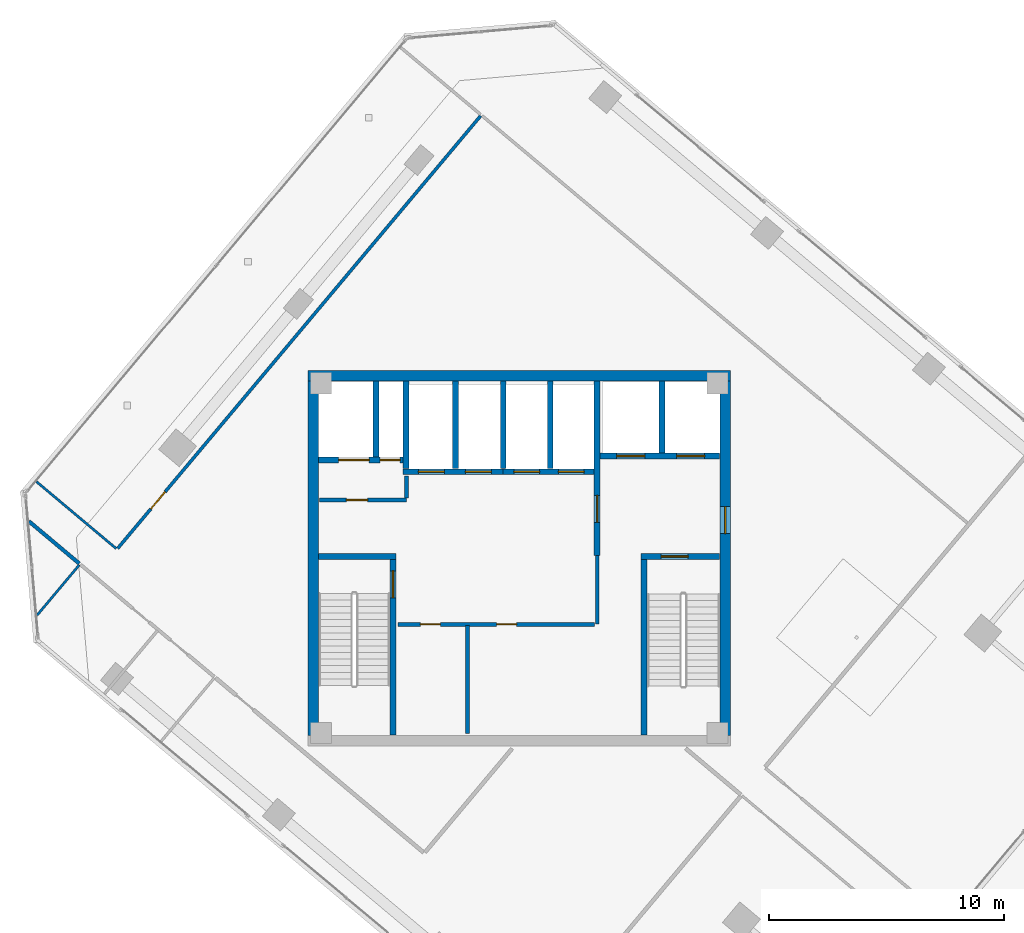
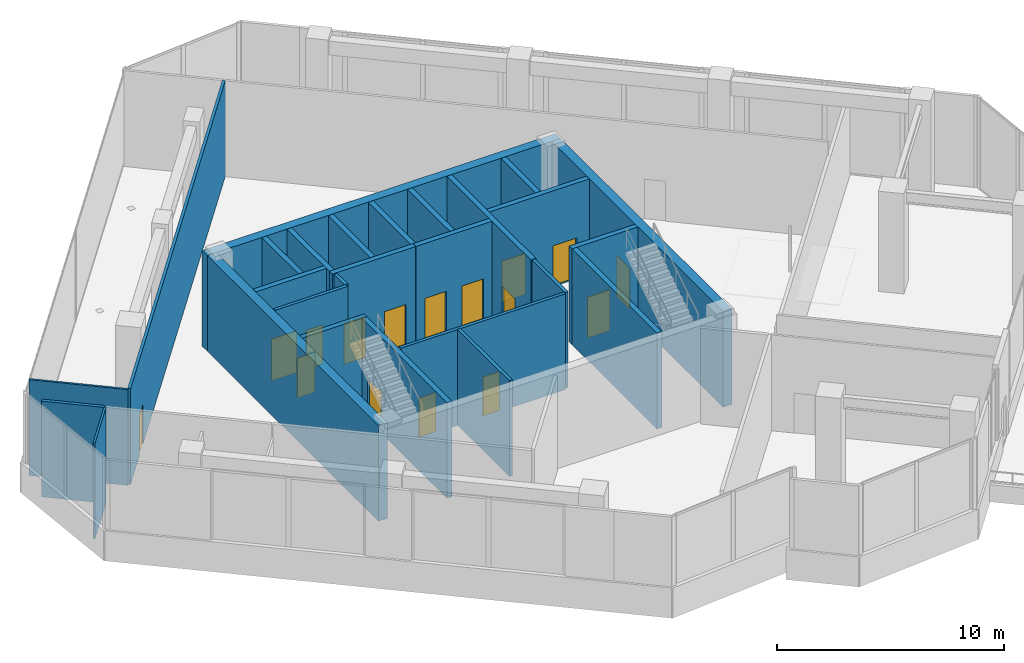
# One storey, part 12 of 17: 27 walls, 16 doors, 16 openings.
"""IFC4 building model written with IfcOpenShell, lengths in metres."""

from ifc_helpers import new_model, si_unit, direction, frame, frame_2d, origin, place, context, subcontext, project, spatial, rectangle, extrude, source, transform, mapped, material, layer, layer_set, type_object, element, fill, save


model = new_model("IFC4")

# Units and contexts
model_context = context("Model", 3, precision=1e-05, world=origin(), true_north=direction((0.0, 1.0)))
body_context = subcontext(model_context, "Body", "Model", "MODEL_VIEW")
ifc_project = project(units=[si_unit("LENGTHUNIT", "METRE"), si_unit("AREAUNIT", "SQUARE_METRE"), si_unit("VOLUMEUNIT", "CUBIC_METRE"), si_unit("PLANEANGLEUNIT", "RADIAN"), si_unit("MASSUNIT", "GRAM", prefix="KILO")], contexts=[model_context])

# Site, building, storey
site_placement = place(None, origin())
site = spatial("IfcSite", under=ifc_project, at=site_placement, CompositionType="ELEMENT")
building_placement = place(site_placement, origin())
building = spatial("IfcBuilding", under=site, at=building_placement, Name="Torre Montelarca", CompositionType="ELEMENT")
storey_placement = place(building_placement, frame((0.0, 0.0, 215.199951171875)))
storey = spatial("IfcBuildingStorey", under=building, at=storey_placement, Name="L48", CompositionType="ELEMENT", Elevation=215.199951171875)

# Wall, opening, door
ifc_material_1 = material(Name="Concrete C40/50", Category="concrete")
ifc_layer_1 = layer(ifc_material_1, 0.25, Name="Concrete C40/50", Category="concrete")
ifc_layer_set_1 = layer_set([ifc_layer_1], Name="Concrete C40/50")
wall_type_1 = type_object("IfcWallType", Name="CW-SHAFT-250", PredefinedType="SHEAR", material=ifc_layer_set_1)
wall_1_placement = place(storey_placement, frame((12.625, 24.4599609375, 0.0), z_axis=(0.0, 0.0, 1.0), x_axis=(0.0, 1.0, 0.0)))
wall_1 = element("IfcWall", 1, at=wall_1_placement, inside=storey, type_object=wall_type_1, Name="L48 Core Shear Wall SH-ST1-E", PredefinedType="SHEAR", context=body_context, shape_type="SweptSolid", body=[
    extrude(rectangle(XDim=7.489990234375, YDim=0.25, at=frame_2d((3.7451171875, 0.0))), origin(), (0.0, 0.0, 1.0), 5.16015625),
])
opening_1_placement = place(wall_1_placement, frame((5.85009765625, 0.0, 0.0)))
opening_1 = element("IfcOpeningElement", 2, at=opening_1_placement, cuts=wall_1, Name="Opening FD-ST1", PredefinedType="OPENING", context=body_context, shape_type="SweptSolid", body=[
    extrude(rectangle(XDim=1.14990234375, YDim=2.199951171875, at=frame_2d((0.574951171875, 1.10009765625))), frame((0.0, 0.135009765625, 0.0), z_axis=(0.0, -1.0, 0.0), x_axis=(1.0, 0.0, 0.0)), (0.0, 0.0, 1.0), 0.27001953125),
])
ifc_material_2 = material(Name="Galvanized steel fire door", Category="steel")
door_type_1 = type_object("IfcDoorType", Name="DR-STAIR-115", OperationType="NOTDEFINED", PredefinedType="DOOR", material=ifc_material_2)
shared_shape_1 = source(origin(), body_context, "Body", "SweptSolid", [
    extrude(rectangle(XDim=1.14990234375, YDim=2.199951171875, at=frame_2d((0.574951171875, 1.10009765625))), frame((0.0, 0.02490234375, 0.0), z_axis=(0.0, -1.0, 0.0), x_axis=(1.0, 0.0, 0.0)), (0.0, 0.0, 1.0), 0.050048828125),
])
door_1_placement = place(opening_1_placement, origin())
door_1 = element("IfcDoor", 3, at=door_1_placement, inside=storey, type_object=door_type_1, Name="L48 Exit Stair ST1 Fire Door", OperationType="SINGLE_SWING_RIGHT", OverallHeight=2.199951171875, OverallWidth=1.14990234375, PredefinedType="DOOR", context=body_context, shape_type="MappedRepresentation", body=[
    mapped(shared_shape_1, transform((0.0, 0.0, 0.0), scale=1.0)),
])
fill(opening_1, door_1)

# Walls
wall_2_placement = place(storey_placement, frame((9.4599609375, 32.074951171875, 0.0), z_axis=(0.0, 0.0, 1.0), x_axis=(1.0, 0.0, 0.0)))
element("IfcWall", 4, at=wall_2_placement, inside=storey, type_object=wall_type_1, Name="L48 Core Shear Wall SH-ST1-N", PredefinedType="SHEAR", context=body_context, shape_type="SweptSolid", body=[
    extrude(rectangle(XDim=3.2900390625, YDim=0.25, at=frame_2d((1.64501953125, 0.0))), origin(), (0.0, 0.0, 1.0), 5.16015625),
])
wall_3_placement = place(storey_placement, frame((23.31494140625, 24.4599609375, 0.0), z_axis=(0.0, 0.0, 1.0), x_axis=(0.0, 1.0, 0.0)))
element("IfcWall", 5, at=wall_3_placement, inside=storey, type_object=wall_type_1, Name="L48 Core Shear Wall SH-ST2-W", PredefinedType="SHEAR", context=body_context, shape_type="SweptSolid", body=[
    extrude(rectangle(XDim=7.489990234375, YDim=0.25, at=frame_2d((3.7451171875, 0.0))), origin(), (0.0, 0.0, 1.0), 5.16015625),
])

# Wall, opening, door
wall_4_placement = place(storey_placement, frame((23.18994140625, 32.074951171875, 0.0), z_axis=(0.0, 0.0, 1.0), x_axis=(1.0, 0.0, 0.0)))
wall_4 = element("IfcWall", 6, at=wall_4_placement, inside=storey, type_object=wall_type_1, Name="L48 Core Shear Wall SH-ST2-N", PredefinedType="SHEAR", context=body_context, shape_type="SweptSolid", body=[
    extrude(rectangle(XDim=3.35009765625, YDim=0.25, at=frame_2d((1.675048828125, 0.0))), origin(), (0.0, 0.0, 1.0), 5.16015625),
])
opening_2_placement = place(wall_4_placement, frame((0.85009765625, 0.0, 0.0)))
opening_2 = element("IfcOpeningElement", 7, at=opening_2_placement, cuts=wall_4, Name="Opening FD-ST1", PredefinedType="OPENING", context=body_context, shape_type="SweptSolid", body=[
    extrude(rectangle(XDim=1.14990234375, YDim=2.199951171875, at=frame_2d((0.574951171875, 1.10009765625))), frame((0.0, 0.135009765625, 0.0), z_axis=(0.0, -1.0, 0.0), x_axis=(1.0, 0.0, 0.0)), (0.0, 0.0, 1.0), 0.27001953125),
])
door_2_placement = place(opening_2_placement, origin())
door_2 = element("IfcDoor", 8, at=door_2_placement, inside=storey, type_object=door_type_1, Name="L48 Exit Stair ST2 Fire Door", OperationType="SINGLE_SWING_RIGHT", OverallHeight=2.199951171875, OverallWidth=1.14990234375, PredefinedType="DOOR", context=body_context, shape_type="MappedRepresentation", body=[
    mapped(shared_shape_1, transform((0.0, 0.0, 0.0), scale=1.0)),
])
fill(opening_2, door_2)

wall_5_placement = place(storey_placement, frame((21.320068359375, 32.1201171875, 0.0), z_axis=(0.0, 0.0, 1.0), x_axis=(0.0, 1.0, 0.0)))
wall_5 = element("IfcWall", 9, at=wall_5_placement, inside=storey, type_object=wall_type_1, Name="L48 Core Shear Wall SH-FFL-W", PredefinedType="SHEAR", context=body_context, shape_type="SweptSolid", body=[
    extrude(rectangle(XDim=7.419921875, YDim=0.25, at=frame_2d((3.7099609375, 0.0))), origin(), (0.0, 0.0, 1.0), 5.16015625),
])
opening_3_placement = place(wall_5_placement, frame((1.39990234375, 0.0, 0.0)))
opening_3 = element("IfcOpeningElement", 10, at=opening_3_placement, cuts=wall_5, Name="Opening FD-LB1", PredefinedType="OPENING", context=body_context, shape_type="SweptSolid", body=[
    extrude(rectangle(XDim=1.14990234375, YDim=2.199951171875, at=frame_2d((0.574951171875, 1.10009765625))), frame((0.0, 0.135009765625, 0.0), z_axis=(0.0, -1.0, 0.0), x_axis=(1.0, 0.0, 0.0)), (0.0, 0.0, 1.0), 0.27001953125),
])
ifc_material_3 = material(Name="Acoustic timber-veneered fire door", Category="wood")
door_type_2 = type_object("IfcDoorType", Name="DR-LOBBY-115", OperationType="NOTDEFINED", PredefinedType="DOOR", material=ifc_material_3)
shared_shape_2 = source(origin(), body_context, "Body", "SweptSolid", [
    extrude(rectangle(XDim=1.14990234375, YDim=2.199951171875, at=frame_2d((0.574951171875, 1.10009765625))), frame((0.0, 0.02490234375, 0.0), z_axis=(0.0, -1.0, 0.0), x_axis=(1.0, 0.0, 0.0)), (0.0, 0.0, 1.0), 0.050048828125),
])
door_3_placement = place(opening_3_placement, origin())
door_3 = element("IfcDoor", 11, at=door_3_placement, inside=storey, type_object=door_type_2, Name="L48 Lift Lobby to Firefighting Lobby Smoke Door", OperationType="SINGLE_SWING_LEFT", OverallHeight=2.199951171875, OverallWidth=1.14990234375, PredefinedType="DOOR", context=body_context, shape_type="MappedRepresentation", body=[
    mapped(shared_shape_2, transform((0.0, 0.0, 0.0), scale=1.0)),
])
fill(opening_3, door_3)

# Wall, openings, doors
wall_6_placement = place(storey_placement, frame((9.4599609375, 36.179931640625, 0.0), z_axis=(0.0, 0.0, 1.0), x_axis=(1.0, 0.0, 0.0)))
wall_6 = element("IfcWall", 12, at=wall_6_placement, inside=storey, type_object=wall_type_1, Name="L48 Core Shear Wall SH-SV1-S", PredefinedType="SHEAR", context=body_context, shape_type="SweptSolid", body=[
    extrude(rectangle(XDim=3.7900390625, YDim=0.25, at=frame_2d((1.89501953125, 0.0))), origin(), (0.0, 0.0, 1.0), 5.16015625),
])
opening_4_placement = place(wall_6_placement, frame((2.6201171875, 0.0, 0.0)))
opening_4 = element("IfcOpeningElement", 13, at=opening_4_placement, cuts=wall_6, Name="Opening FD-085", PredefinedType="OPENING", context=body_context, shape_type="SweptSolid", body=[
    extrude(rectangle(XDim=0.85009765625, YDim=2.10009765625, at=frame_2d((0.425048828125, 1.050048828125))), frame((0.0, 0.135009765625, 0.0), z_axis=(0.0, -1.0, 0.0), x_axis=(1.0, 0.0, 0.0)), (0.0, 0.0, 1.0), 0.27001953125),
])
opening_5_placement = place(wall_6_placement, frame((0.85009765625, 0.0, 0.0)))
opening_5 = element("IfcOpeningElement", 14, at=opening_5_placement, cuts=wall_6, Name="Opening LD-130", PredefinedType="OPENING", context=body_context, shape_type="SweptSolid", body=[
    extrude(rectangle(XDim=1.300048828125, YDim=2.25, at=frame_2d((0.64990234375, 1.125))), frame((0.0, 0.135009765625, 0.0), z_axis=(0.0, -1.0, 0.0), x_axis=(1.0, 0.0, 0.0)), (0.0, 0.0, 1.0), 0.27001953125),
])
ifc_material_4 = material(Name="Steel riser access fire door", Category="steel")
door_type_3 = type_object("IfcDoorType", Name="DR-RISER-085", OperationType="NOTDEFINED", PredefinedType="DOOR", material=ifc_material_4)
shared_shape_3 = source(origin(), body_context, "Body", "SweptSolid", [
    extrude(rectangle(XDim=0.85009765625, YDim=2.10009765625, at=frame_2d((0.425048828125, 1.050048828125))), frame((0.0, 0.02490234375, 0.0), z_axis=(0.0, -1.0, 0.0), x_axis=(1.0, 0.0, 0.0)), (0.0, 0.0, 1.0), 0.050048828125),
])
door_4_placement = place(opening_4_placement, origin())
door_4 = element("IfcDoor", 15, at=door_4_placement, inside=storey, type_object=door_type_3, Name="L48 Electrical Riser Shaft Access Door", OperationType="SINGLE_SWING_RIGHT", OverallHeight=2.10009765625, OverallWidth=0.85009765625, PredefinedType="DOOR", context=body_context, shape_type="MappedRepresentation", body=[
    mapped(shared_shape_3, transform((0.0, 0.0, 0.0), scale=1.0)),
])
fill(opening_4, door_4)
ifc_material_5 = material(Name="Brushed stainless steel AISI 316", Category="steel")
door_type_4 = type_object("IfcDoorType", Name="DR-LIFT-130", OperationType="SLIDING_TO_LEFT", PredefinedType="DOOR", material=ifc_material_5)
shared_shape_4 = source(origin(), body_context, "Body", "SweptSolid", [
    extrude(rectangle(XDim=1.300048828125, YDim=2.25, at=frame_2d((0.64990234375, 1.125))), frame((0.0, 0.02490234375, 0.0), z_axis=(0.0, -1.0, 0.0), x_axis=(1.0, 0.0, 0.0)), (0.0, 0.0, 1.0), 0.050048828125),
])
door_5_placement = place(opening_5_placement, origin())
door_5 = element("IfcDoor", 16, at=door_5_placement, inside=storey, type_object=door_type_4, Name="L48 Lift Landing Sliding Door SV-1", OperationType="SLIDING_TO_LEFT", OverallHeight=2.25, OverallWidth=1.300048828125, PredefinedType="DOOR", context=body_context, shape_type="MappedRepresentation", body=[
    mapped(shared_shape_4, transform((0.0, 0.0, 0.0), scale=1.0)),
])
fill(opening_5, door_5)

# Wall
wall_7_placement = place(storey_placement, frame((11.89990234375, 36.31005859375, 0.0), z_axis=(0.0, 0.0, 1.0), x_axis=(0.0, 1.0, 0.0)))
element("IfcWall", 17, at=wall_7_placement, inside=storey, type_object=wall_type_1, Name="L48 Core Shear Wall SH-SV1-E", PredefinedType="SHEAR", context=body_context, shape_type="SweptSolid", body=[
    extrude(rectangle(XDim=3.22998046875, YDim=0.25, at=frame_2d((1.614990234375, 0.0))), origin(), (0.0, 0.0, 1.0), 5.16015625),
])

# Wall, openings, doors
wall_8_placement = place(storey_placement, frame((21.449951171875, 36.35009765625, 0.0), z_axis=(0.0, 0.0, 1.0), x_axis=(1.0, 0.0, 0.0)))
wall_8 = element("IfcWall", 18, at=wall_8_placement, inside=storey, type_object=wall_type_1, Name="L48 Core Shear Wall SH-FF-S", PredefinedType="SHEAR", context=body_context, shape_type="SweptSolid", body=[
    extrude(rectangle(XDim=5.090087890625, YDim=0.25, at=frame_2d((2.544921875, 0.0))), origin(), (0.0, 0.0, 1.0), 5.16015625),
])
opening_6_placement = place(wall_8_placement, frame((0.699951171875, 0.0, 0.0)))
opening_6 = element("IfcOpeningElement", 19, at=opening_6_placement, cuts=wall_8, Name="Opening LD-120", PredefinedType="OPENING", context=body_context, shape_type="SweptSolid", body=[
    extrude(rectangle(XDim=1.199951171875, YDim=2.199951171875, at=frame_2d((0.60009765625, 1.10009765625))), frame((0.0, 0.135009765625, 0.0), z_axis=(0.0, -1.0, 0.0), x_axis=(1.0, 0.0, 0.0)), (0.0, 0.0, 1.0), 0.27001953125),
])
opening_7_placement = place(wall_8_placement, frame((3.25, 0.0, 0.0)))
opening_7 = element("IfcOpeningElement", 20, at=opening_7_placement, cuts=wall_8, Name="Opening LD-120", PredefinedType="OPENING", context=body_context, shape_type="SweptSolid", body=[
    extrude(rectangle(XDim=1.199951171875, YDim=2.199951171875, at=frame_2d((0.60009765625, 1.10009765625))), frame((0.0, 0.135009765625, 0.0), z_axis=(0.0, -1.0, 0.0), x_axis=(1.0, 0.0, 0.0)), (0.0, 0.0, 1.0), 0.27001953125),
])
door_type_5 = type_object("IfcDoorType", Name="DR-LIFT-120", OperationType="SLIDING_TO_RIGHT", PredefinedType="DOOR", material=ifc_material_5)
shared_shape_5 = source(origin(), body_context, "Body", "SweptSolid", [
    extrude(rectangle(XDim=1.199951171875, YDim=2.199951171875, at=frame_2d((0.60009765625, 1.10009765625))), frame((0.0, 0.02490234375, 0.0), z_axis=(0.0, -1.0, 0.0), x_axis=(1.0, 0.0, 0.0)), (0.0, 0.0, 1.0), 0.050048828125),
])
door_6_placement = place(opening_6_placement, origin())
door_6 = element("IfcDoor", 21, at=door_6_placement, inside=storey, type_object=door_type_5, Name="L48 Lift Landing Sliding Door FF-1", OperationType="SLIDING_TO_LEFT", OverallHeight=2.199951171875, OverallWidth=1.199951171875, PredefinedType="DOOR", context=body_context, shape_type="MappedRepresentation", body=[
    mapped(shared_shape_5, transform((0.0, 0.0, 0.0), scale=1.0)),
])
fill(opening_6, door_6)
door_7_placement = place(opening_7_placement, origin())
door_7 = element("IfcDoor", 22, at=door_7_placement, inside=storey, type_object=door_type_5, Name="L48 Lift Landing Sliding Door FF-2", OperationType="SLIDING_TO_RIGHT", OverallHeight=2.199951171875, OverallWidth=1.199951171875, PredefinedType="DOOR", context=body_context, shape_type="MappedRepresentation", body=[
    mapped(shared_shape_5, transform((0.0, 0.0, 0.0), scale=1.0)),
])
fill(opening_7, door_7)

# Wall
wall_9_placement = place(storey_placement, frame((24.080078125, 36.47998046875, 0.0), z_axis=(0.0, 0.0, 1.0), x_axis=(0.0, 1.0, 0.0)))
element("IfcWall", 23, at=wall_9_placement, inside=storey, type_object=wall_type_1, Name="L48 Core Shear Wall SH-FF-M", PredefinedType="SHEAR", context=body_context, shape_type="SweptSolid", body=[
    extrude(rectangle(XDim=3.06005859375, YDim=0.25, at=frame_2d((1.530029296875, 0.0))), origin(), (0.0, 0.0, 1.0), 5.16015625),
])

# Wall, openings, doors
wall_10_placement = place(storey_placement, frame((13.06005859375, 35.679931640625, 0.0), z_axis=(0.0, 0.0, 1.0), x_axis=(1.0, 0.0, 0.0)))
wall_10 = element("IfcWall", 24, at=wall_10_placement, inside=storey, type_object=wall_type_1, Name="L48 Core Shear Wall SH-PLM-S", PredefinedType="SHEAR", context=body_context, shape_type="SweptSolid", body=[
    extrude(rectangle(XDim=4.25, YDim=0.25, at=frame_2d((2.125, 0.0))), origin(), (0.0, 0.0, 1.0), 5.16015625),
])
opening_8_placement = place(wall_10_placement, frame((0.64990234375, 0.0, 0.0)))
opening_8 = element("IfcOpeningElement", 25, at=opening_8_placement, cuts=wall_10, Name="Opening LD-110", PredefinedType="OPENING", context=body_context, shape_type="SweptSolid", body=[
    extrude(rectangle(XDim=1.10009765625, YDim=2.199951171875, at=frame_2d((0.550048828125, 1.10009765625))), frame((0.0, 0.135009765625, 0.0), z_axis=(0.0, -1.0, 0.0), x_axis=(1.0, 0.0, 0.0)), (0.0, 0.0, 1.0), 0.27001953125),
])
opening_9_placement = place(wall_10_placement, frame((2.64990234375, 0.0, 0.0)))
opening_9 = element("IfcOpeningElement", 26, at=opening_9_placement, cuts=wall_10, Name="Opening LD-110", PredefinedType="OPENING", context=body_context, shape_type="SweptSolid", body=[
    extrude(rectangle(XDim=1.10009765625, YDim=2.199951171875, at=frame_2d((0.550048828125, 1.10009765625))), frame((0.0, 0.135009765625, 0.0), z_axis=(0.0, -1.0, 0.0), x_axis=(1.0, 0.0, 0.0)), (0.0, 0.0, 1.0), 0.27001953125),
])
door_type_6 = type_object("IfcDoorType", Name="DR-LIFT-110", OperationType="SLIDING_TO_LEFT", PredefinedType="DOOR", material=ifc_material_5)
shared_shape_6 = source(origin(), body_context, "Body", "SweptSolid", [
    extrude(rectangle(XDim=1.10009765625, YDim=2.199951171875, at=frame_2d((0.550048828125, 1.10009765625))), frame((0.0, 0.02490234375, 0.0), z_axis=(0.0, -1.0, 0.0), x_axis=(1.0, 0.0, 0.0)), (0.0, 0.0, 1.0), 0.050048828125),
])
door_8_placement = place(opening_8_placement, origin())
door_8 = element("IfcDoor", 27, at=door_8_placement, inside=storey, type_object=door_type_6, Name="L48 Lift Landing Sliding Door PL-M1", OperationType="SLIDING_TO_LEFT", OverallHeight=2.199951171875, OverallWidth=1.10009765625, PredefinedType="DOOR", context=body_context, shape_type="MappedRepresentation", body=[
    mapped(shared_shape_6, transform((0.0, 0.0, 0.0), scale=1.0)),
])
fill(opening_8, door_8)
door_9_placement = place(opening_9_placement, origin())
door_9 = element("IfcDoor", 28, at=door_9_placement, inside=storey, type_object=door_type_6, Name="L48 Lift Landing Sliding Door PL-M2", OperationType="SLIDING_TO_RIGHT", OverallHeight=2.199951171875, OverallWidth=1.10009765625, PredefinedType="DOOR", context=body_context, shape_type="MappedRepresentation", body=[
    mapped(shared_shape_6, transform((0.0, 0.0, 0.0), scale=1.0)),
])
fill(opening_9, door_9)

# Walls
for number, where, z_axis, x_axis, name in (
    (29, (13.179931640625, 35.81005859375, 0.0), (0.0, 0.0, 1.0), (0.0, 1.0, 0.0), "L48 Core Shear Wall SH-PLM-W"),
    (30, (15.280029296875, 35.81005859375, 0.0), (0.0, 0.0, 1.0), (0.0, 1.0, 0.0), "L48 Core Shear Wall SH-PLM-M"),
):
    element("IfcWall", number, at=place(storey_placement, frame(where, z_axis=z_axis, x_axis=x_axis)), inside=storey, type_object=wall_type_1, Name=name, PredefinedType="SHEAR", context=body_context, shape_type="SweptSolid", body=[
        extrude(rectangle(XDim=3.72998046875, YDim=0.25, at=frame_2d((1.864990234375, 0.0))), origin(), (0.0, 0.0, 1.0), 5.16015625),
    ])

# Wall, openings, doors
wall_11_placement = place(storey_placement, frame((17.320068359375, 35.679931640625, 0.0), z_axis=(0.0, 0.0, 1.0), x_axis=(1.0, 0.0, 0.0)))
wall_11 = element("IfcWall", 31, at=wall_11_placement, inside=storey, type_object=wall_type_1, Name="L48 Core Shear Wall SH-PLH-S", PredefinedType="SHEAR", context=body_context, shape_type="SweptSolid", body=[
    extrude(rectangle(XDim=3.869873046875, YDim=0.25, at=frame_2d((1.93505859375, 0.0))), origin(), (0.0, 0.0, 1.0), 5.16015625),
])
opening_10_placement = place(wall_11_placement, frame((0.449951171875, 0.0, 0.0)))
opening_10 = element("IfcOpeningElement", 32, at=opening_10_placement, cuts=wall_11, Name="Opening LD-110", PredefinedType="OPENING", context=body_context, shape_type="SweptSolid", body=[
    extrude(rectangle(XDim=1.10009765625, YDim=2.199951171875, at=frame_2d((0.550048828125, 1.10009765625))), frame((0.0, 0.135009765625, 0.0), z_axis=(0.0, -1.0, 0.0), x_axis=(1.0, 0.0, 0.0)), (0.0, 0.0, 1.0), 0.27001953125),
])
opening_11_placement = place(wall_11_placement, frame((2.35009765625, 0.0, 0.0)))
opening_11 = element("IfcOpeningElement", 33, at=opening_11_placement, cuts=wall_11, Name="Opening LD-110", PredefinedType="OPENING", context=body_context, shape_type="SweptSolid", body=[
    extrude(rectangle(XDim=1.10009765625, YDim=2.199951171875, at=frame_2d((0.550048828125, 1.10009765625))), frame((0.0, 0.135009765625, 0.0), z_axis=(0.0, -1.0, 0.0), x_axis=(1.0, 0.0, 0.0)), (0.0, 0.0, 1.0), 0.27001953125),
])
door_10_placement = place(opening_10_placement, origin())
door_10 = element("IfcDoor", 34, at=door_10_placement, inside=storey, type_object=door_type_6, Name="L48 Lift Landing Sliding Door PL-H1", OperationType="SLIDING_TO_LEFT", OverallHeight=2.199951171875, OverallWidth=1.10009765625, PredefinedType="DOOR", context=body_context, shape_type="MappedRepresentation", body=[
    mapped(shared_shape_6, transform((0.0, 0.0, 0.0), scale=1.0)),
])
fill(opening_10, door_10)
door_11_placement = place(opening_11_placement, origin())
door_11 = element("IfcDoor", 35, at=door_11_placement, inside=storey, type_object=door_type_6, Name="L48 Lift Landing Sliding Door PL-H2", OperationType="SLIDING_TO_RIGHT", OverallHeight=2.199951171875, OverallWidth=1.10009765625, PredefinedType="DOOR", context=body_context, shape_type="MappedRepresentation", body=[
    mapped(shared_shape_6, transform((0.0, 0.0, 0.0), scale=1.0)),
])
fill(opening_11, door_11)

# Walls
for number, where, z_axis, x_axis, name in (
    (36, (17.320068359375, 35.81005859375, 0.0), (0.0, 0.0, 1.0), (0.0, 1.0, 0.0), "L48 Core Shear Wall SH-PLH-W"),
    (37, (19.320068359375, 35.81005859375, 0.0), (0.0, 0.0, 1.0), (0.0, 1.0, 0.0), "L48 Core Shear Wall SH-PLH-M"),
):
    element("IfcWall", number, at=place(storey_placement, frame(where, z_axis=z_axis, x_axis=x_axis)), inside=storey, type_object=wall_type_1, Name=name, PredefinedType="SHEAR", context=body_context, shape_type="SweptSolid", body=[
        extrude(rectangle(XDim=3.72998046875, YDim=0.25, at=frame_2d((1.864990234375, 0.0))), origin(), (0.0, 0.0, 1.0), 5.16015625),
    ])
ifc_material_6 = material(Name="Concrete C55/67", Category="concrete")
ifc_layer_2 = layer(ifc_material_6, 0.449951171875, Name="Concrete C55/67", Category="concrete")
ifc_layer_set_2 = layer_set([ifc_layer_2], Name="Concrete C55/67")
wall_type_2 = type_object("IfcWallType", Name="CW-SHEAR-450", PredefinedType="SHEAR", material=ifc_layer_set_2)
wall_12_placement = place(storey_placement, frame((9.22509765625, 24.449951171875, 0.0), z_axis=(0.0, 0.0, 1.0), x_axis=(0.0, 1.0, 0.0)))
element("IfcWall", 38, at=wall_12_placement, inside=storey, type_object=wall_type_2, Name="L48 Core Shear Wall CW-W", PredefinedType="SHEAR", context=body_context, shape_type="SweptSolid", body=[
    extrude(rectangle(XDim=15.10009765625, YDim=0.449951171875, at=frame_2d((7.550048828125, 0.0))), origin(), (0.0, 0.0, 1.0), 5.16015625),
])

# Wall, opening, door
wall_13_placement = place(storey_placement, frame((26.77490234375, 24.449951171875, 0.0), z_axis=(0.0, 0.0, 1.0), x_axis=(0.0, 1.0, 0.0)))
wall_13 = element("IfcWall", 39, at=wall_13_placement, inside=storey, type_object=wall_type_2, Name="L48 Core Shear Wall CW-E", PredefinedType="SHEAR", context=body_context, shape_type="SweptSolid", body=[
    extrude(rectangle(XDim=15.10009765625, YDim=0.449951171875, at=frame_2d((7.550048828125, 0.0))), origin(), (0.0, 0.0, 1.0), 5.16015625),
])
opening_12_placement = place(wall_13_placement, frame((8.60009765625, 0.0, 0.0)))
opening_12 = element("IfcOpeningElement", 40, at=opening_12_placement, cuts=wall_13, Name="Opening FD-LB1", PredefinedType="OPENING", context=body_context, shape_type="SweptSolid", body=[
    extrude(rectangle(XDim=1.14990234375, YDim=2.199951171875, at=frame_2d((0.574951171875, 1.10009765625))), frame((0.0, 0.23486328125, 0.0), z_axis=(0.0, -1.0, 0.0), x_axis=(1.0, 0.0, 0.0)), (0.0, 0.0, 1.0), 0.469970703125),
])
door_12_placement = place(opening_12_placement, origin())
door_12 = element("IfcDoor", 41, at=door_12_placement, inside=storey, type_object=door_type_2, Name="L48 Firefighting Lift Lobby Corridor Fire Door", OperationType="SINGLE_SWING_RIGHT", OverallHeight=2.199951171875, OverallWidth=1.14990234375, PredefinedType="DOOR", context=body_context, shape_type="MappedRepresentation", body=[
    mapped(shared_shape_2, transform((0.0, 0.0, 0.0), scale=1.0)),
])
fill(opening_12, door_12)

# Wall
wall_14_placement = place(storey_placement, frame((9.0, 39.77490234375, 0.0), z_axis=(0.0, 0.0, 1.0), x_axis=(1.0, 0.0, 0.0)))
element("IfcWall", 42, at=wall_14_placement, inside=storey, type_object=wall_type_2, Name="L48 Core Shear Wall CW-N1", PredefinedType="SHEAR", context=body_context, shape_type="SweptSolid", body=[
    extrude(rectangle(XDim=18.0, YDim=0.449951171875, at=frame_2d((9.0, 0.0))), origin(), (0.0, 0.0, 1.0), 5.16015625),
])

# Wall, opening, door
ifc_material_7 = material(Name="Gypsum plasterboard on steel stud", Category="steel")
ifc_layer_3 = layer(ifc_material_7, 0.159912109375, Name="Gypsum plasterboard on steel stud", Category="steel")
ifc_layer_set_3 = layer_set([ifc_layer_3], Name="Gypsum plasterboard on steel stud")
wall_type_3 = type_object("IfcWallType", Name="PW-FIRE-160", PredefinedType="PARTITIONING", material=ifc_layer_set_3)
wall_15_placement = place(storey_placement, frame((9.489990234375, 34.47998046875, 0.0), z_axis=(0.0, 0.0, 1.0), x_axis=(1.0, 0.0, 0.0)))
wall_15 = element("IfcWall", 43, at=wall_15_placement, inside=storey, type_object=wall_type_3, Name="L48 Interior Partition CW-L48-SVS", PredefinedType="PARTITIONING", context=body_context, shape_type="SweptSolid", body=[
    extrude(rectangle(XDim=3.699951171875, YDim=0.159912109375, at=frame_2d((1.85009765625, 0.0))), origin(), (0.0, 0.0, 1.0), 5.16015625),
])
opening_13_placement = place(wall_15_placement, frame((1.14990234375, 0.0, 0.0)))
opening_13 = element("IfcOpeningElement", 44, at=opening_13_placement, cuts=wall_15, Name="Opening FD-090", PredefinedType="OPENING", context=body_context, shape_type="SweptSolid", body=[
    extrude(rectangle(XDim=0.89990234375, YDim=2.14990234375, at=frame_2d((0.449951171875, 1.074951171875))), frame((0.0, 0.08984375, 0.0), z_axis=(0.0, -1.0, 0.0), x_axis=(1.0, 0.0, 0.0)), (0.0, 0.0, 1.0), 0.179931640625),
])
ifc_material_8 = material(Name="Steel service fire door", Category="steel")
door_type_7 = type_object("IfcDoorType", Name="DR-FIRE-090", OperationType="NOTDEFINED", PredefinedType="DOOR", material=ifc_material_8)
shared_shape_7 = source(origin(), body_context, "Body", "SweptSolid", [
    extrude(rectangle(XDim=0.89990234375, YDim=2.14990234375, at=frame_2d((0.449951171875, 1.074951171875))), frame((0.0, 0.02490234375, 0.0), z_axis=(0.0, -1.0, 0.0), x_axis=(1.0, 0.0, 0.0)), (0.0, 0.0, 1.0), 0.050048828125),
])
door_13_placement = place(opening_13_placement, origin())
door_13 = element("IfcDoor", 45, at=door_13_placement, inside=storey, type_object=door_type_7, Name="L48 Interior Door 01", OperationType="SINGLE_SWING_RIGHT", OverallHeight=2.14990234375, OverallWidth=0.89990234375, PredefinedType="DOOR", context=body_context, shape_type="MappedRepresentation", body=[
    mapped(shared_shape_7, transform((0.0, 0.0, 0.0), scale=1.0)),
])
fill(opening_13, door_13)

# Wall
wall_16_placement = place(storey_placement, frame((13.199951171875, 34.570068359375, 0.0), z_axis=(0.0, 0.0, 1.0), x_axis=(0.0, 1.0, 0.0)))
element("IfcWall", 46, at=wall_16_placement, inside=storey, type_object=wall_type_3, Name="L48 Interior Partition CW-L48-SVE", PredefinedType="PARTITIONING", context=body_context, shape_type="SweptSolid", body=[
    extrude(rectangle(XDim=0.93994140625, YDim=0.159912109375, at=frame_2d((0.469970703125, 0.0))), origin(), (0.0, 0.0, 1.0), 5.16015625),
])

# Wall, openings, doors
wall_17_placement = place(storey_placement, frame((12.840087890625, 29.179931640625, 0.0), z_axis=(0.0, 0.0, 1.0), x_axis=(1.0, 0.0, 0.0)))
wall_17 = element("IfcWall", 47, at=wall_17_placement, inside=storey, type_object=wall_type_3, Name="L48 Interior Partition CW-L48-FRDN", PredefinedType="PARTITIONING", context=body_context, shape_type="SweptSolid", body=[
    extrude(rectangle(XDim=8.369873046875, YDim=0.159912109375, at=frame_2d((4.18505859375, 0.0))), origin(), (0.0, 0.0, 1.0), 5.16015625),
])
opening_14_placement = place(wall_17_placement, frame((0.949951171875, 0.0, 0.0)))
opening_14 = element("IfcOpeningElement", 48, at=opening_14_placement, cuts=wall_17, Name="Opening FD-085", PredefinedType="OPENING", context=body_context, shape_type="SweptSolid", body=[
    extrude(rectangle(XDim=0.85009765625, YDim=2.10009765625, at=frame_2d((0.425048828125, 1.050048828125))), frame((0.0, 0.08984375, 0.0), z_axis=(0.0, -1.0, 0.0), x_axis=(1.0, 0.0, 0.0)), (0.0, 0.0, 1.0), 0.179931640625),
])
opening_15_placement = place(wall_17_placement, frame((4.199951171875, 0.0, 0.0)))
opening_15 = element("IfcOpeningElement", 49, at=opening_15_placement, cuts=wall_17, Name="Opening FD-085", PredefinedType="OPENING", context=body_context, shape_type="SweptSolid", body=[
    extrude(rectangle(XDim=0.85009765625, YDim=2.10009765625, at=frame_2d((0.425048828125, 1.050048828125))), frame((0.0, 0.08984375, 0.0), z_axis=(0.0, -1.0, 0.0), x_axis=(1.0, 0.0, 0.0)), (0.0, 0.0, 1.0), 0.179931640625),
])
door_14_placement = place(opening_14_placement, origin())
door_14 = element("IfcDoor", 50, at=door_14_placement, inside=storey, type_object=door_type_3, Name="L48 Interior Door 02", OperationType="SINGLE_SWING_LEFT", OverallHeight=2.10009765625, OverallWidth=0.85009765625, PredefinedType="DOOR", context=body_context, shape_type="MappedRepresentation", body=[
    mapped(shared_shape_3, transform((0.0, 0.0, 0.0), scale=1.0)),
])
fill(opening_14, door_14)
door_15_placement = place(opening_15_placement, origin())
door_15 = element("IfcDoor", 51, at=door_15_placement, inside=storey, type_object=door_type_3, Name="L48 Interior Door 03", OperationType="SINGLE_SWING_RIGHT", OverallHeight=2.10009765625, OverallWidth=0.85009765625, PredefinedType="DOOR", context=body_context, shape_type="MappedRepresentation", body=[
    mapped(shared_shape_3, transform((0.0, 0.0, 0.0), scale=1.0)),
])
fill(opening_15, door_15)

# Walls
wall_18_placement = place(storey_placement, frame((15.800048828125, 24.5400390625, 0.0), z_axis=(0.0, 0.0, 1.0), x_axis=(0.0, 1.0, 0.0)))
element("IfcWall", 52, at=wall_18_placement, inside=storey, type_object=wall_type_3, Name="L48 Interior Partition CW-L48-FRD1", PredefinedType="PARTITIONING", context=body_context, shape_type="SweptSolid", body=[
    extrude(rectangle(XDim=4.599853515625, YDim=0.159912109375, at=frame_2d((2.2998046875, 0.0))), origin(), (0.0, 0.0, 1.0), 5.16015625),
])
wall_19_placement = place(storey_placement, frame((21.320068359375, 29.18994140625, 0.0), z_axis=(0.0, 0.0, 1.0), x_axis=(0.0, 1.0, 0.0)))
element("IfcWall", 53, at=wall_19_placement, inside=storey, type_object=wall_type_3, Name="L48 Interior Partition CW-L48-FRE", PredefinedType="PARTITIONING", context=body_context, shape_type="SweptSolid", body=[
    extrude(rectangle(XDim=2.920166015625, YDim=0.159912109375, at=frame_2d((1.4599609375, 0.0))), origin(), (0.0, 0.0, 1.0), 5.16015625),
])
wall_20_placement = place(storey_placement, frame((-2.885986328125, 33.572998046875, 0.0), z_axis=(0.0, 0.0, 1.0), x_axis=(0.766060058075, -0.642769000048, 0.0)))
element("IfcWall", 54, at=wall_20_placement, inside=storey, type_object=wall_type_3, Name="L48 Interior Partition W-L48-SOCCW", PredefinedType="PARTITIONING", context=body_context, shape_type="SweptSolid", body=[
    extrude(rectangle(XDim=2.802001953125, YDim=0.159912109375, at=frame_2d((1.40087890625, 0.0))), origin(), (0.0, 0.0, 1.0), 5.16015625),
])
ifc_material_9 = material(Name="Acoustic laminated glass partition", Category="glass")
ifc_layer_4 = layer(ifc_material_9, 0.10009765625, Name="Acoustic laminated glass partition", Category="glass")
ifc_layer_set_4 = layer_set([ifc_layer_4], Name="Acoustic laminated glass partition")
wall_type_4 = type_object("IfcWallType", Name="PW-GLAZ-100", PredefinedType="PARTITIONING", material=ifc_layer_set_4)
wall_21_placement = place(storey_placement, frame((-2.535888671875, 29.569091796875, 0.0), z_axis=(0.0, 0.0, 1.0), x_axis=(0.642777228426, 0.766053153911, 0.0)))
element("IfcWall", 55, at=wall_21_placement, inside=storey, type_object=wall_type_4, Name="L48 Interior Partition W-L48-WCW", PredefinedType="PARTITIONING", context=body_context, shape_type="SweptSolid", body=[
    extrude(rectangle(XDim=2.80224609375, YDim=0.10009765625, at=frame_2d((1.401123046875, 0.0))), origin(), (0.0, 0.0, 1.0), 5.16015625),
])
wall_22_placement = place(storey_placement, frame((-2.55615234375, 35.25439453125, 0.0), z_axis=(0.0, 0.0, 1.0), x_axis=(0.76603046424, -0.642804268698, 0.0)))
element("IfcWall", 56, at=wall_22_placement, inside=storey, type_object=wall_type_4, Name="L48 Interior Partition W-L48-WWGS", PredefinedType="PARTITIONING", context=body_context, shape_type="SweptSolid", body=[
    extrude(rectangle(XDim=4.429931640625, YDim=0.10009765625, at=frame_2d((2.21484375, 0.0))), origin(), (0.0, 0.0, 1.0), 5.16015625),
])

# Wall, opening, door
ifc_layer_5 = layer(ifc_material_7, 0.135009765625, Name="Gypsum plasterboard on steel stud", Category="steel")
ifc_layer_set_5 = layer_set([ifc_layer_5], Name="Gypsum plasterboard on steel stud")
wall_type_5 = type_object("IfcWallType", Name="PW-PART-135", PredefinedType="PARTITIONING", material=ifc_layer_set_5)
wall_23_placement = place(storey_placement, frame((0.893798828125, 32.41162109375, 0.0), z_axis=(0.0, 0.0, 1.0), x_axis=(0.64277673271, 0.766053569854, 0.0)))
wall_23 = element("IfcWall", 57, at=wall_23_placement, inside=storey, type_object=wall_type_5, Name="L48 Interior Partition W-L48-WWGE", PredefinedType="PARTITIONING", context=body_context, shape_type="SweptSolid", body=[
    extrude(rectangle(XDim=24.060302734375, YDim=0.135009765625, at=frame_2d((12.0302734375, 0.0))), origin(), (0.0, 0.0, 1.0), 5.16015625),
])
opening_16_placement = place(wall_23_placement, frame((2.199951171875, 0.0, 0.0)))
opening_16 = element("IfcOpeningElement", 58, at=opening_16_placement, cuts=wall_23, Name="Opening ID-095", PredefinedType="OPENING", context=body_context, shape_type="SweptSolid", body=[
    extrude(rectangle(XDim=0.949951171875, YDim=2.14990234375, at=frame_2d((0.47509765625, 1.074951171875))), frame((0.0, 0.07763671875, 0.0), z_axis=(0.0, -1.0, 0.0), x_axis=(1.0, 0.0, 0.0)), (0.0, 0.0, 1.0), 0.155029296875),
])
ifc_material_10 = material(Name="Hardwood acoustic timber veneer", Category="wood")
door_type_8 = type_object("IfcDoorType", Name="DR-INT-095", OperationType="NOTDEFINED", PredefinedType="DOOR", material=ifc_material_10)
shared_shape_8 = source(origin(), body_context, "Body", "SweptSolid", [
    extrude(rectangle(XDim=0.949951171875, YDim=2.14990234375, at=frame_2d((0.47509765625, 1.074951171875))), frame((0.0, 0.02490234375, 0.0), z_axis=(0.0, -1.0, 0.0), x_axis=(1.0, 0.0, 0.0)), (0.0, 0.0, 1.0), 0.050048828125),
])
door_16_placement = place(opening_16_placement, origin())
door_16 = element("IfcDoor", 59, at=door_16_placement, inside=storey, type_object=door_type_8, Name="L48 Interior Door 08", OperationType="SINGLE_SWING_LEFT", OverallHeight=2.14990234375, OverallWidth=0.949951171875, PredefinedType="DOOR", context=body_context, shape_type="MappedRepresentation", body=[
    mapped(shared_shape_8, transform((0.0, 0.0, 0.0), scale=1.0)),
])
fill(opening_16, door_16)

save(model, "model.ifc")
